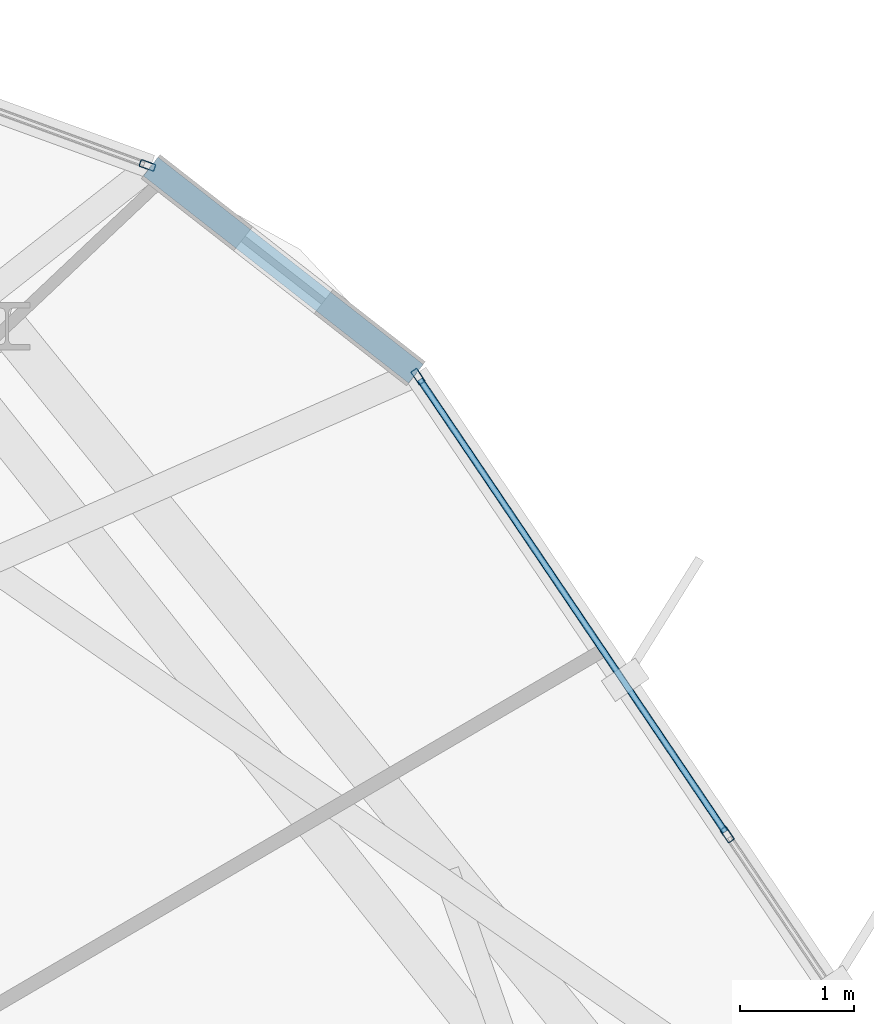
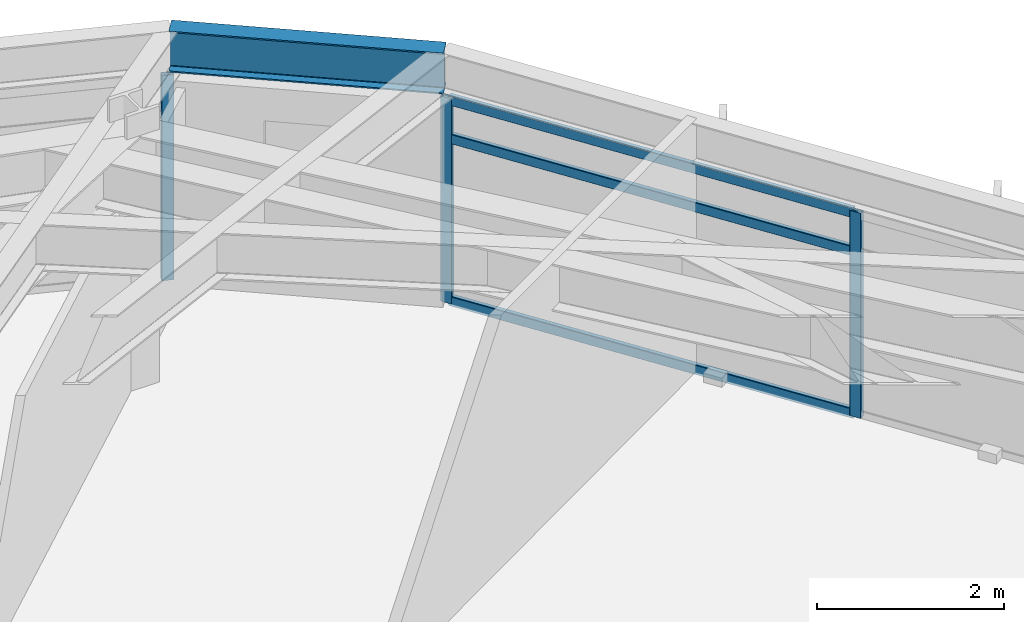
# One storey, part 22 of 30: 6 members, 1 beam, 2 elements without a shape of their own.
"""IFC4 building model written with IfcOpenShell, lengths in metres."""

from ifc_helpers import new_model, si_unit, direction, frame, origin, origin_2d, place, context, subcontext, project, spatial, hollow_rectangle, i_section, extrude, material, layer, layer_set, material_profile, profile_set, type_object, element, aggregate, save


model = new_model("IFC4")

# Units and contexts
model_context = context("Model", 3, precision=1e-05, world=origin(), true_north=direction((0.0, 1.0)))
body_context = subcontext(model_context, "Body", "Model", "MODEL_VIEW")
ifc_project = project(units=[si_unit("LENGTHUNIT", "METRE"), si_unit("AREAUNIT", "SQUARE_METRE"), si_unit("VOLUMEUNIT", "CUBIC_METRE"), si_unit("PLANEANGLEUNIT", "RADIAN"), si_unit("MASSUNIT", "GRAM", prefix="KILO")], contexts=[model_context])

# Site, building, storey
site_placement = place(None, origin())
site = spatial("IfcSite", under=ifc_project, at=site_placement, CompositionType="ELEMENT")
building_placement = place(site_placement, origin())
building = spatial("IfcBuilding", under=site, at=building_placement, Name="Soratama Intermodal Tower", CompositionType="ELEMENT")
storey_placement = place(building_placement, frame((0.0, 0.0, 223.0)))
storey = spatial("IfcBuildingStorey", under=building, at=storey_placement, Name="L56", CompositionType="ELEMENT", Elevation=223.0)

# Beam
ifc_material_1 = material(Name="Structural steel ASTM A992 Grade 50", Category="steel")
ifc_material_profile_1 = material_profile(ifc_material_1, i_section(OverallWidth=0.2099609375, OverallDepth=0.537109375, WebThickness=0.010986328125, FlangeThickness=0.017333984375, FilletRadius=0.012939453125, at=origin_2d()), Name="W21X68")
ifc_profile_set_1 = profile_set([ifc_material_profile_1], Name="Structural steel ASTM A992 Grade 50")
beam_type = type_object("IfcBeamType", Name="BM-SPN-W21X68", PredefinedType="SPANDREL", material=ifc_profile_set_1)
beam_placement = place(storey_placement, frame((58.73388671875, 40.180908203125, 3.031494140625), z_axis=(-0.788074278238, 0.615580158858, 0.0), x_axis=(-0.615580158858, -0.788074278238, 0.0)))
element("IfcBeam", 1, at=beam_placement, inside=storey, type_object=beam_type, Name="BS-L56-CRN10", PredefinedType="SPANDREL", context=body_context, shape_type="SweptSolid", body=[
    extrude(i_section(OverallWidth=0.2099609375, OverallDepth=0.537109375, WebThickness=0.010986328125, FlangeThickness=0.017333984375, FilletRadius=0.012939453125, at=origin_2d()), origin(), (0.0, 0.0, 1.0), 2.966552734375),
])

# Curtain wall, member
ifc_material_2 = material(Name="Double-glazed aluminium curtain wall", Category="aluminium")
ifc_layer = layer(ifc_material_2, 0.159912109375)
ifc_layer_set = layer_set([ifc_layer], Name="Double-glazed aluminium curtain wall")
curtain_wall_type = type_object("IfcCurtainWallType", Name="CW-SYS-5", PredefinedType="NOTDEFINED", material=ifc_layer_set)
curtain_wall_1_placement = place(storey_placement, origin())
curtain_wall_1 = element("IfcCurtainWall", 2, at=curtain_wall_1_placement, inside=storey, type_object=curtain_wall_type, Name="L56 Faceted Curtain Wall F01", PredefinedType="NOTDEFINED")
ifc_material_3 = material(Name="Anodised aluminium AA 6063-T6", Category="aluminium")
ifc_material_profile_2 = material_profile(ifc_material_3, hollow_rectangle(XDim=0.06494140625, YDim=0.139892578125, WallThickness=0.0048828125, InnerFilletRadius=0.0048828125, OuterFilletRadius=0.010009765625, at=origin_2d()), Name="CWM140X65X5")
ifc_profile_set_2 = profile_set([ifc_material_profile_2], Name="Anodised aluminium AA 6063-T6")
member_type_1 = type_object("IfcMemberType", Name="MT-CWM-5", PredefinedType="MULLION", material=ifc_profile_set_2)
member_1_placement = place(storey_placement, frame((56.36767578125, 42.01708984375, 0.0), z_axis=(0.0, 0.0, 1.0), x_axis=(-0.34169553132, -0.939810706406, 0.0)))
member_1 = element("IfcMember", 3, at=member_1_placement, type_object=member_type_1, Name="CW-5 mullion 1", PredefinedType="MULLION", context=body_context, shape_type="SweptSolid", body=[
    extrude(hollow_rectangle(XDim=0.06494140625, YDim=0.139892578125, WallThickness=0.0048828125, InnerFilletRadius=0.0048828125, OuterFilletRadius=0.010009765625, at=origin_2d()), origin(), (0.0, 0.0, 1.0), 2.678955078125),
])
aggregate(curtain_wall_1, [member_1])

# Curtain wall, members
curtain_wall_2_placement = place(storey_placement, origin())
curtain_wall_2 = element("IfcCurtainWall", 4, at=curtain_wall_2_placement, inside=storey, type_object=curtain_wall_type, Name="L56 Faceted Curtain Wall F10", PredefinedType="NOTDEFINED")
member_2_placement = place(storey_placement, frame((61.47509765625, 36.120849609375, 0.0), z_axis=(0.0, 0.0, 1.0), x_axis=(-0.828842639505, -0.559481795001, 0.0)))
member_2 = element("IfcMember", 5, at=member_2_placement, type_object=member_type_1, Name="CW-5 mullion 2", PredefinedType="MULLION", context=body_context, shape_type="SweptSolid", body=[
    extrude(hollow_rectangle(XDim=0.06494140625, YDim=0.139892578125, WallThickness=0.0048828125, InnerFilletRadius=0.0048828125, OuterFilletRadius=0.010009765625, at=origin_2d()), origin(), (0.0, 0.0, 1.0), 2.678955078125),
])
member_3_placement = place(storey_placement, frame((58.7509765625, 40.15625, 0.0), z_axis=(0.0, 0.0, 1.0), x_axis=(-0.828842639505, -0.559481795001, 0.0)))
member_3 = element("IfcMember", 6, at=member_3_placement, type_object=member_type_1, Name="CW-5 mullion 3", PredefinedType="MULLION", context=body_context, shape_type="SweptSolid", body=[
    extrude(hollow_rectangle(XDim=0.06494140625, YDim=0.139892578125, WallThickness=0.0048828125, InnerFilletRadius=0.0048828125, OuterFilletRadius=0.010009765625, at=origin_2d()), origin(), (0.0, 0.0, 1.0), 2.678955078125),
])
ifc_material_4 = material(Name="Anodised aluminium AA 6063-T6", Category="aluminium")
ifc_material_profile_3 = material_profile(ifc_material_4, hollow_rectangle(XDim=0.06005859375, YDim=0.1298828125, WallThickness=0.0048828125, InnerFilletRadius=0.0048828125, OuterFilletRadius=0.010009765625, at=origin_2d()), Name="CWT130X60X5")
ifc_profile_set_3 = profile_set([ifc_material_profile_3], Name="Anodised aluminium AA 6063-T6")
member_type_2 = type_object("IfcMemberType", Name="TT-CWT-2", PredefinedType="USERDEFINED", material=ifc_profile_set_3)
member_4_placement = place(storey_placement, frame((61.458251953125, 36.145751953125, 0.030029296875), z_axis=(-0.559494654224, 0.828833959183, 0.0), x_axis=(-0.828833959183, -0.559494654224, 0.0)))
member_4 = element("IfcMember", 7, at=member_4_placement, type_object=member_type_2, Name="CW-5 transom 2.1", ObjectType="TRANSOM", PredefinedType="USERDEFINED", context=body_context, shape_type="SweptSolid", body=[
    extrude(hollow_rectangle(XDim=0.06005859375, YDim=0.1298828125, WallThickness=0.0048828125, InnerFilletRadius=0.0048828125, OuterFilletRadius=0.010009765625, at=origin_2d()), origin(), (0.0, 0.0, 1.0), 4.80859375),
])
member_5_placement = place(storey_placement, frame((61.458251953125, 36.145751953125, 2.14990234375), z_axis=(-0.559494654224, 0.828833959183, 0.0), x_axis=(-0.828833959183, -0.559494654224, 0.0)))
member_5 = element("IfcMember", 8, at=member_5_placement, type_object=member_type_2, Name="CW-5 transom 2.2", ObjectType="TRANSOM", PredefinedType="USERDEFINED", context=body_context, shape_type="SweptSolid", body=[
    extrude(hollow_rectangle(XDim=0.06005859375, YDim=0.1298828125, WallThickness=0.0048828125, InnerFilletRadius=0.0048828125, OuterFilletRadius=0.010009765625, at=origin_2d()), origin(), (0.0, 0.0, 1.0), 4.80859375),
])
member_6_placement = place(storey_placement, frame((61.458251953125, 36.145751953125, 2.64892578125), z_axis=(-0.559494654224, 0.828833959183, 0.0), x_axis=(-0.828833959183, -0.559494654224, 0.0)))
member_6 = element("IfcMember", 9, at=member_6_placement, type_object=member_type_2, Name="CW-5 transom 2.3", ObjectType="TRANSOM", PredefinedType="USERDEFINED", context=body_context, shape_type="SweptSolid", body=[
    extrude(hollow_rectangle(XDim=0.06005859375, YDim=0.1298828125, WallThickness=0.0048828125, InnerFilletRadius=0.0048828125, OuterFilletRadius=0.010009765625, at=origin_2d()), origin(), (0.0, 0.0, 1.0), 4.80859375),
])
aggregate(curtain_wall_2, [member_2, member_3, member_4, member_5, member_6])

save(model, "model.ifc")
